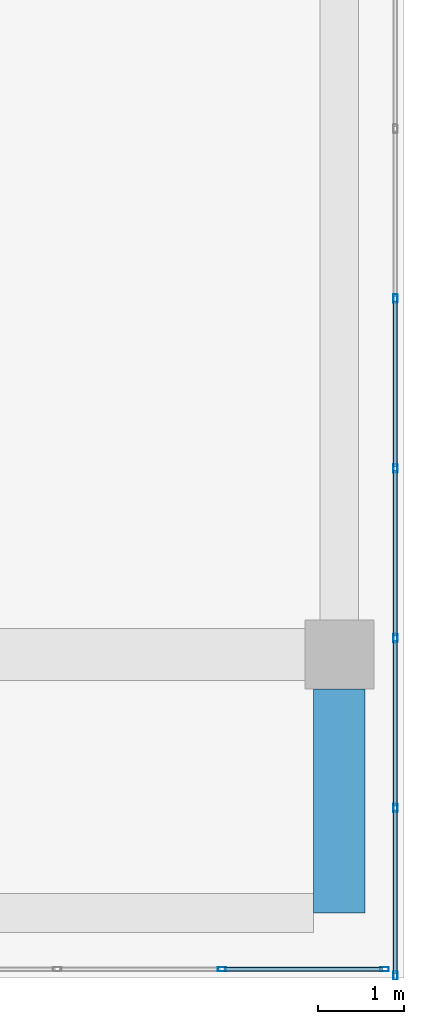
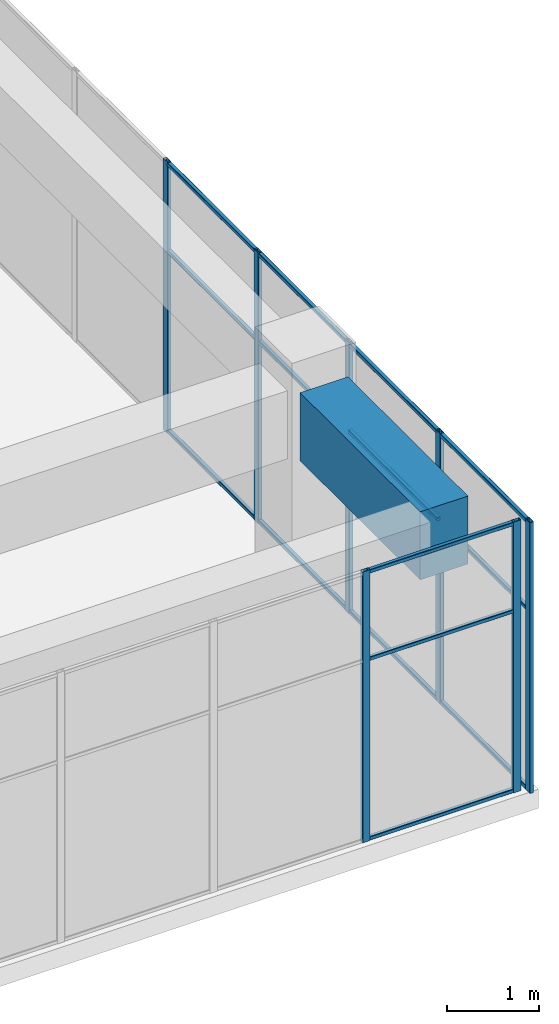
# One storey, part 24 of 52: 22 members, 1 beam, 2 elements without a shape of their own.
"""IFC4 building model written with IfcOpenShell, lengths in metres."""

from ifc_helpers import new_model, si_unit, direction, frame, origin, origin_2d, place, context, subcontext, project, spatial, rectangle, hollow_rectangle, extrude, material, layer, layer_set, material_profile, profile_set, type_object, element, aggregate, save


model = new_model("IFC4")

# Units and contexts
model_context = context("Model", 3, precision=1e-05, world=origin(), true_north=direction((0.0, 1.0)))
body_context = subcontext(model_context, "Body", "Model", "MODEL_VIEW")
ifc_project = project(units=[si_unit("LENGTHUNIT", "METRE"), si_unit("AREAUNIT", "SQUARE_METRE"), si_unit("VOLUMEUNIT", "CUBIC_METRE"), si_unit("PLANEANGLEUNIT", "RADIAN"), si_unit("MASSUNIT", "GRAM", prefix="KILO")], contexts=[model_context])

# Site, building, storey
site_placement = place(None, origin())
site = spatial("IfcSite", under=ifc_project, at=site_placement, CompositionType="ELEMENT")
building_placement = place(site_placement, origin())
building = spatial("IfcBuilding", under=site, at=building_placement, Name="Tuart Plaza Theatre", CompositionType="ELEMENT")
storey_placement = place(building_placement, frame((0.0, 0.0, 25.5)))
storey = spatial("IfcBuildingStorey", under=building, at=storey_placement, Name="L06", CompositionType="ELEMENT", Elevation=25.5)

# Beam
ifc_material_1 = material(Name="Concrete N40 (40 MPa)", Category="concrete")
ifc_material_profile_1 = material_profile(ifc_material_1, rectangle(XDim=0.60009765625, YDim=0.89990234375, at=origin_2d()), Name="BEAM 600x900 Concrete N40 (40 MPa)")
ifc_profile_set_1 = profile_set([ifc_material_profile_1], Name="Concrete N40 (40 MPa)")
beam_type = type_object("IfcBeamType", Name="BEAM 600x900 Concrete N40 (40 MPa)", PredefinedType="BEAM", material=ifc_profile_set_1)
beam_placement = place(storey_placement, frame((150.0, 53.0, 3.1298828125), z_axis=(0.0, 1.0, 0.0), x_axis=(-1.0, 0.0, 0.0)))
element("IfcBeam", 1, at=beam_placement, inside=storey, type_object=beam_type, Name="RB237", PredefinedType="BEAM", context=body_context, shape_type="SweptSolid", body=[
    extrude(rectangle(XDim=0.60009765625, YDim=0.89990234375, at=origin_2d()), origin(), (0.0, 0.0, 1.0), 2.60009765625),
])

# Curtain wall, members
ifc_material_2 = material(Name="Aluminium and glass", Category="aluminium")
ifc_layer = layer(ifc_material_2, 0.10009765625)
ifc_layer_set = layer_set([ifc_layer], Name="CURTAIN WALL 2000 module")
curtain_wall_type = type_object("IfcCurtainWallType", Name="CURTAIN WALL 2000 module", PredefinedType="NOTDEFINED", material=ifc_layer_set)
curtain_wall_1_placement = place(storey_placement, origin())
curtain_wall_1 = element("IfcCurtainWall", 2, at=curtain_wall_1_placement, inside=storey, type_object=curtain_wall_type, Name="CW76", PredefinedType="NOTDEFINED")
ifc_material_3 = material(Name="Aluminium 6063-T5", Category="aluminium")
ifc_material_profile_2 = material_profile(ifc_material_3, hollow_rectangle(XDim=0.050048828125, YDim=0.10009765625, WallThickness=0.00390625, InnerFilletRadius=0.00390625, OuterFilletRadius=0.008056640625, at=origin_2d()), Name="RHS 100x50x4")
ifc_profile_set_2 = profile_set([ifc_material_profile_2], Name="Aluminium 6063-T5")
member_type_1 = type_object("IfcMemberType", Name="MULLION RHS 100x50x4", PredefinedType="MULLION", material=ifc_profile_set_2)
member_1_placement = place(storey_placement, frame((148.639892578125, 52.35009765625, 0.0), z_axis=(0.0, 0.0, 1.0), x_axis=(0.0, 1.0, 0.0)))
member_1 = element("IfcMember", 3, at=member_1_placement, type_object=member_type_1, Name="CW76 mullion 10", PredefinedType="MULLION", context=body_context, shape_type="SweptSolid", body=[
    extrude(hollow_rectangle(XDim=0.050048828125, YDim=0.10009765625, WallThickness=0.00390625, InnerFilletRadius=0.00390625, OuterFilletRadius=0.008056640625, at=origin_2d()), origin(), (0.0, 0.0, 1.0), 3.580078125),
])
member_2_placement = place(storey_placement, frame((150.52490234375, 52.35009765625, 0.0), z_axis=(0.0, 0.0, 1.0), x_axis=(0.0, 1.0, 0.0)))
member_2 = element("IfcMember", 4, at=member_2_placement, type_object=member_type_1, Name="CW76 mullion 11", PredefinedType="MULLION", context=body_context, shape_type="SweptSolid", body=[
    extrude(hollow_rectangle(XDim=0.050048828125, YDim=0.10009765625, WallThickness=0.00390625, InnerFilletRadius=0.00390625, OuterFilletRadius=0.008056640625, at=origin_2d()), origin(), (0.0, 0.0, 1.0), 3.580078125),
])

curtain_wall_2_placement = place(storey_placement, origin())
curtain_wall_2 = element("IfcCurtainWall", 5, at=curtain_wall_2_placement, inside=storey, type_object=curtain_wall_type, Name="CW78", PredefinedType="NOTDEFINED")
member_3_placement = place(storey_placement, frame((150.64990234375, 52.27490234375, 0.0), z_axis=(0.0, 0.0, 1.0), x_axis=(-1.0, 0.0, 0.0)))
member_3 = element("IfcMember", 6, at=member_3_placement, type_object=member_type_1, Name="CW78 mullion 1", PredefinedType="MULLION", context=body_context, shape_type="SweptSolid", body=[
    extrude(hollow_rectangle(XDim=0.050048828125, YDim=0.10009765625, WallThickness=0.00390625, InnerFilletRadius=0.00390625, OuterFilletRadius=0.008056640625, at=origin_2d()), origin(), (0.0, 0.0, 1.0), 3.580078125),
])
member_4_placement = place(storey_placement, frame((150.64990234375, 54.21875, 0.0), z_axis=(0.0, 0.0, 1.0), x_axis=(-1.0, 0.0, 0.0)))
member_4 = element("IfcMember", 7, at=member_4_placement, type_object=member_type_1, Name="CW78 mullion 2", PredefinedType="MULLION", context=body_context, shape_type="SweptSolid", body=[
    extrude(hollow_rectangle(XDim=0.050048828125, YDim=0.10009765625, WallThickness=0.00390625, InnerFilletRadius=0.00390625, OuterFilletRadius=0.008056640625, at=origin_2d()), origin(), (0.0, 0.0, 1.0), 3.580078125),
])
member_5_placement = place(storey_placement, frame((150.64990234375, 56.1875, 0.0), z_axis=(0.0, 0.0, 1.0), x_axis=(-1.0, 0.0, 0.0)))
member_5 = element("IfcMember", 8, at=member_5_placement, type_object=member_type_1, Name="CW78 mullion 3", PredefinedType="MULLION", context=body_context, shape_type="SweptSolid", body=[
    extrude(hollow_rectangle(XDim=0.050048828125, YDim=0.10009765625, WallThickness=0.00390625, InnerFilletRadius=0.00390625, OuterFilletRadius=0.008056640625, at=origin_2d()), origin(), (0.0, 0.0, 1.0), 3.580078125),
])
member_6_placement = place(storey_placement, frame((150.64990234375, 58.15625, 0.0), z_axis=(0.0, 0.0, 1.0), x_axis=(-1.0, 0.0, 0.0)))
member_6 = element("IfcMember", 9, at=member_6_placement, type_object=member_type_1, Name="CW78 mullion 4", PredefinedType="MULLION", context=body_context, shape_type="SweptSolid", body=[
    extrude(hollow_rectangle(XDim=0.050048828125, YDim=0.10009765625, WallThickness=0.00390625, InnerFilletRadius=0.00390625, OuterFilletRadius=0.008056640625, at=origin_2d()), origin(), (0.0, 0.0, 1.0), 3.580078125),
])
member_7_placement = place(storey_placement, frame((150.64990234375, 60.125, 0.0), z_axis=(0.0, 0.0, 1.0), x_axis=(-1.0, 0.0, 0.0)))
member_7 = element("IfcMember", 10, at=member_7_placement, type_object=member_type_1, Name="CW78 mullion 5", PredefinedType="MULLION", context=body_context, shape_type="SweptSolid", body=[
    extrude(hollow_rectangle(XDim=0.050048828125, YDim=0.10009765625, WallThickness=0.00390625, InnerFilletRadius=0.00390625, OuterFilletRadius=0.008056640625, at=origin_2d()), origin(), (0.0, 0.0, 1.0), 3.580078125),
])

# Member
ifc_material_4 = material(Name="Aluminium 6063-T5", Category="aluminium")
ifc_material_profile_3 = material_profile(ifc_material_4, hollow_rectangle(XDim=0.050048828125, YDim=0.050048828125, WallThickness=0.00390625, InnerFilletRadius=0.00390625, OuterFilletRadius=0.008056640625, at=origin_2d()), Name="RHS 50x50x4")
ifc_profile_set_3 = profile_set([ifc_material_profile_3], Name="Aluminium 6063-T5")
member_type_2 = type_object("IfcMemberType", Name="TRANSOM RHS 50x50x4", PredefinedType="USERDEFINED", material=ifc_profile_set_3)
member_8_placement = place(storey_placement, frame((148.6650390625, 52.35009765625, 0.02490234375), z_axis=(1.0, 0.0, 0.0), x_axis=(0.0, 1.0, 0.0)))
member_8 = element("IfcMember", 11, at=member_8_placement, type_object=member_type_2, Name="CW76 transom 10.1", ObjectType="TRANSOM", PredefinedType="USERDEFINED", context=body_context, shape_type="SweptSolid", body=[
    extrude(hollow_rectangle(XDim=0.050048828125, YDim=0.050048828125, WallThickness=0.00390625, InnerFilletRadius=0.00390625, OuterFilletRadius=0.008056640625, at=origin_2d()), origin(), (0.0, 0.0, 1.0), 1.8349609375),
])

member_9_placement = place(storey_placement, frame((148.6650390625, 52.35009765625, 2.39990234375), z_axis=(1.0, 0.0, 0.0), x_axis=(0.0, 1.0, 0.0)))
member_9 = element("IfcMember", 12, at=member_9_placement, type_object=member_type_2, Name="CW76 transom 10.2", ObjectType="TRANSOM", PredefinedType="USERDEFINED", context=body_context, shape_type="SweptSolid", body=[
    extrude(hollow_rectangle(XDim=0.050048828125, YDim=0.050048828125, WallThickness=0.00390625, InnerFilletRadius=0.00390625, OuterFilletRadius=0.008056640625, at=origin_2d()), origin(), (0.0, 0.0, 1.0), 1.8349609375),
])

member_10_placement = place(storey_placement, frame((148.6650390625, 52.35009765625, 3.554931640625), z_axis=(1.0, 0.0, 0.0), x_axis=(0.0, 1.0, 0.0)))
member_10 = element("IfcMember", 13, at=member_10_placement, type_object=member_type_2, Name="CW76 transom 10.3", ObjectType="TRANSOM", PredefinedType="USERDEFINED", context=body_context, shape_type="SweptSolid", body=[
    extrude(hollow_rectangle(XDim=0.050048828125, YDim=0.050048828125, WallThickness=0.00390625, InnerFilletRadius=0.00390625, OuterFilletRadius=0.008056640625, at=origin_2d()), origin(), (0.0, 0.0, 1.0), 1.8349609375),
])

aggregate(curtain_wall_1, [member_1, member_2, member_8, member_9, member_10])

member_11_placement = place(storey_placement, frame((150.64990234375, 52.300048828125, 0.02490234375), z_axis=(0.0, 1.0, 0.0), x_axis=(-1.0, 0.0, 0.0)))
member_11 = element("IfcMember", 14, at=member_11_placement, type_object=member_type_2, Name="CW78 transom 1.1", ObjectType="TRANSOM", PredefinedType="USERDEFINED", context=body_context, shape_type="SweptSolid", body=[
    extrude(hollow_rectangle(XDim=0.050048828125, YDim=0.050048828125, WallThickness=0.00390625, InnerFilletRadius=0.00390625, OuterFilletRadius=0.008056640625, at=origin_2d()), origin(), (0.0, 0.0, 1.0), 1.893798828125),
])

member_12_placement = place(storey_placement, frame((150.64990234375, 52.300048828125, 2.39990234375), z_axis=(0.0, 1.0, 0.0), x_axis=(-1.0, 0.0, 0.0)))
member_12 = element("IfcMember", 15, at=member_12_placement, type_object=member_type_2, Name="CW78 transom 1.2", ObjectType="TRANSOM", PredefinedType="USERDEFINED", context=body_context, shape_type="SweptSolid", body=[
    extrude(hollow_rectangle(XDim=0.050048828125, YDim=0.050048828125, WallThickness=0.00390625, InnerFilletRadius=0.00390625, OuterFilletRadius=0.008056640625, at=origin_2d()), origin(), (0.0, 0.0, 1.0), 1.893798828125),
])

member_13_placement = place(storey_placement, frame((150.64990234375, 52.300048828125, 3.554931640625), z_axis=(0.0, 1.0, 0.0), x_axis=(-1.0, 0.0, 0.0)))
member_13 = element("IfcMember", 16, at=member_13_placement, type_object=member_type_2, Name="CW78 transom 1.3", ObjectType="TRANSOM", PredefinedType="USERDEFINED", context=body_context, shape_type="SweptSolid", body=[
    extrude(hollow_rectangle(XDim=0.050048828125, YDim=0.050048828125, WallThickness=0.00390625, InnerFilletRadius=0.00390625, OuterFilletRadius=0.008056640625, at=origin_2d()), origin(), (0.0, 0.0, 1.0), 1.893798828125),
])

member_14_placement = place(storey_placement, frame((150.64990234375, 54.24365234375, 0.02490234375), z_axis=(0.0, 1.0, 0.0), x_axis=(-1.0, 0.0, 0.0)))
member_14 = element("IfcMember", 17, at=member_14_placement, type_object=member_type_2, Name="CW78 transom 2.1", ObjectType="TRANSOM", PredefinedType="USERDEFINED", context=body_context, shape_type="SweptSolid", body=[
    extrude(hollow_rectangle(XDim=0.050048828125, YDim=0.050048828125, WallThickness=0.00390625, InnerFilletRadius=0.00390625, OuterFilletRadius=0.008056640625, at=origin_2d()), origin(), (0.0, 0.0, 1.0), 1.9189453125),
])

member_15_placement = place(storey_placement, frame((150.64990234375, 54.24365234375, 2.39990234375), z_axis=(0.0, 1.0, 0.0), x_axis=(-1.0, 0.0, 0.0)))
member_15 = element("IfcMember", 18, at=member_15_placement, type_object=member_type_2, Name="CW78 transom 2.2", ObjectType="TRANSOM", PredefinedType="USERDEFINED", context=body_context, shape_type="SweptSolid", body=[
    extrude(hollow_rectangle(XDim=0.050048828125, YDim=0.050048828125, WallThickness=0.00390625, InnerFilletRadius=0.00390625, OuterFilletRadius=0.008056640625, at=origin_2d()), origin(), (0.0, 0.0, 1.0), 1.9189453125),
])

member_16_placement = place(storey_placement, frame((150.64990234375, 54.24365234375, 3.554931640625), z_axis=(0.0, 1.0, 0.0), x_axis=(-1.0, 0.0, 0.0)))
member_16 = element("IfcMember", 19, at=member_16_placement, type_object=member_type_2, Name="CW78 transom 2.3", ObjectType="TRANSOM", PredefinedType="USERDEFINED", context=body_context, shape_type="SweptSolid", body=[
    extrude(hollow_rectangle(XDim=0.050048828125, YDim=0.050048828125, WallThickness=0.00390625, InnerFilletRadius=0.00390625, OuterFilletRadius=0.008056640625, at=origin_2d()), origin(), (0.0, 0.0, 1.0), 1.9189453125),
])

member_17_placement = place(storey_placement, frame((150.64990234375, 56.21240234375, 0.02490234375), z_axis=(0.0, 1.0, 0.0), x_axis=(-1.0, 0.0, 0.0)))
member_17 = element("IfcMember", 20, at=member_17_placement, type_object=member_type_2, Name="CW78 transom 3.1", ObjectType="TRANSOM", PredefinedType="USERDEFINED", context=body_context, shape_type="SweptSolid", body=[
    extrude(hollow_rectangle(XDim=0.050048828125, YDim=0.050048828125, WallThickness=0.00390625, InnerFilletRadius=0.00390625, OuterFilletRadius=0.008056640625, at=origin_2d()), origin(), (0.0, 0.0, 1.0), 1.9189453125),
])

member_18_placement = place(storey_placement, frame((150.64990234375, 56.21240234375, 2.39990234375), z_axis=(0.0, 1.0, 0.0), x_axis=(-1.0, 0.0, 0.0)))
member_18 = element("IfcMember", 21, at=member_18_placement, type_object=member_type_2, Name="CW78 transom 3.2", ObjectType="TRANSOM", PredefinedType="USERDEFINED", context=body_context, shape_type="SweptSolid", body=[
    extrude(hollow_rectangle(XDim=0.050048828125, YDim=0.050048828125, WallThickness=0.00390625, InnerFilletRadius=0.00390625, OuterFilletRadius=0.008056640625, at=origin_2d()), origin(), (0.0, 0.0, 1.0), 1.9189453125),
])

member_19_placement = place(storey_placement, frame((150.64990234375, 56.21240234375, 3.554931640625), z_axis=(0.0, 1.0, 0.0), x_axis=(-1.0, 0.0, 0.0)))
member_19 = element("IfcMember", 22, at=member_19_placement, type_object=member_type_2, Name="CW78 transom 3.3", ObjectType="TRANSOM", PredefinedType="USERDEFINED", context=body_context, shape_type="SweptSolid", body=[
    extrude(hollow_rectangle(XDim=0.050048828125, YDim=0.050048828125, WallThickness=0.00390625, InnerFilletRadius=0.00390625, OuterFilletRadius=0.008056640625, at=origin_2d()), origin(), (0.0, 0.0, 1.0), 1.9189453125),
])

member_20_placement = place(storey_placement, frame((150.64990234375, 58.18115234375, 0.02490234375), z_axis=(0.0, 1.0, 0.0), x_axis=(-1.0, 0.0, 0.0)))
member_20 = element("IfcMember", 23, at=member_20_placement, type_object=member_type_2, Name="CW78 transom 4.1", ObjectType="TRANSOM", PredefinedType="USERDEFINED", context=body_context, shape_type="SweptSolid", body=[
    extrude(hollow_rectangle(XDim=0.050048828125, YDim=0.050048828125, WallThickness=0.00390625, InnerFilletRadius=0.00390625, OuterFilletRadius=0.008056640625, at=origin_2d()), origin(), (0.0, 0.0, 1.0), 1.9189453125),
])

member_21_placement = place(storey_placement, frame((150.64990234375, 58.18115234375, 2.39990234375), z_axis=(0.0, 1.0, 0.0), x_axis=(-1.0, 0.0, 0.0)))
member_21 = element("IfcMember", 24, at=member_21_placement, type_object=member_type_2, Name="CW78 transom 4.2", ObjectType="TRANSOM", PredefinedType="USERDEFINED", context=body_context, shape_type="SweptSolid", body=[
    extrude(hollow_rectangle(XDim=0.050048828125, YDim=0.050048828125, WallThickness=0.00390625, InnerFilletRadius=0.00390625, OuterFilletRadius=0.008056640625, at=origin_2d()), origin(), (0.0, 0.0, 1.0), 1.9189453125),
])

member_22_placement = place(storey_placement, frame((150.64990234375, 58.18115234375, 3.554931640625), z_axis=(0.0, 1.0, 0.0), x_axis=(-1.0, 0.0, 0.0)))
member_22 = element("IfcMember", 25, at=member_22_placement, type_object=member_type_2, Name="CW78 transom 4.3", ObjectType="TRANSOM", PredefinedType="USERDEFINED", context=body_context, shape_type="SweptSolid", body=[
    extrude(hollow_rectangle(XDim=0.050048828125, YDim=0.050048828125, WallThickness=0.00390625, InnerFilletRadius=0.00390625, OuterFilletRadius=0.008056640625, at=origin_2d()), origin(), (0.0, 0.0, 1.0), 1.9189453125),
])

aggregate(curtain_wall_2, [member_3, member_4, member_5, member_6, member_7, member_11, member_12, member_13, member_14, member_15, member_16, member_17, member_18, member_19, member_20, member_21, member_22])

save(model, "model.ifc")
